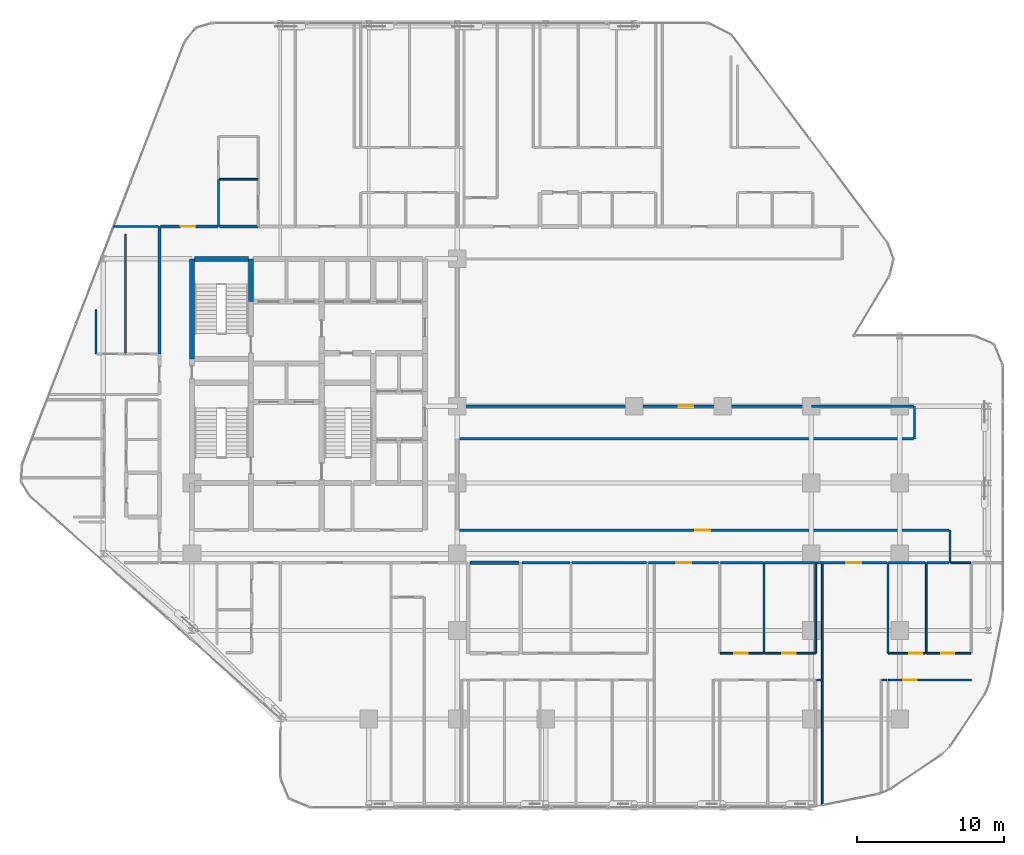
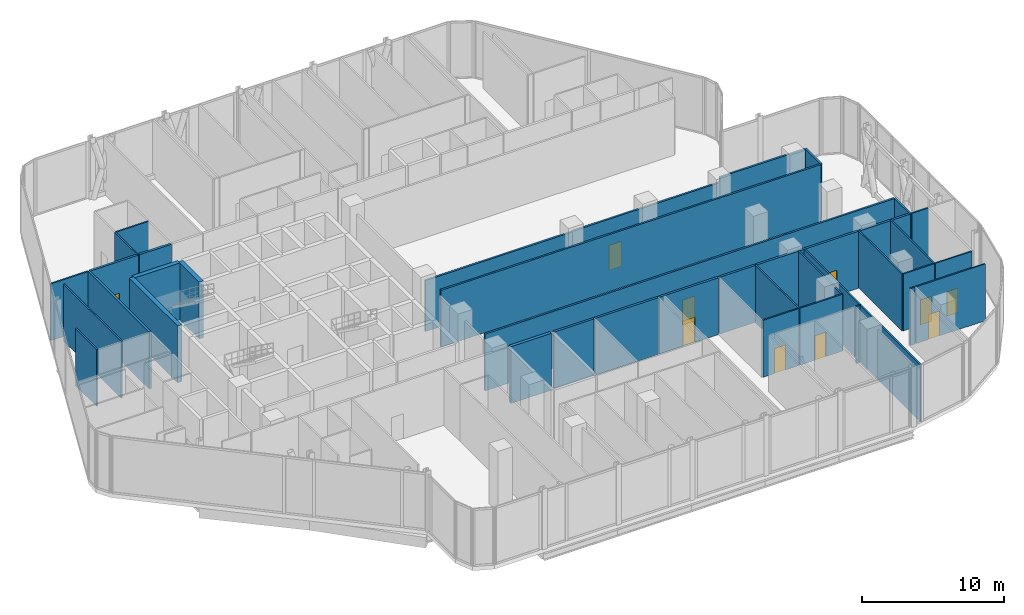
# One storey, part 32 of 36: 40 walls, 10 doors, 10 openings.
"""IFC4 building model written with IfcOpenShell, lengths in metres."""

from ifc_helpers import new_model, si_unit, direction, frame, frame_2d, origin, place, context, subcontext, project, spatial, rectangle, extrude, material, layer, layer_set, type_object, element, fill, save


model = new_model("IFC4")

# Units and contexts
model_context = context("Model", 3, precision=1e-05, world=origin(), true_north=direction((0.0, 1.0)))
body_context = subcontext(model_context, "Body", "Model", "MODEL_VIEW")
ifc_project = project(units=[si_unit("LENGTHUNIT", "METRE"), si_unit("AREAUNIT", "SQUARE_METRE"), si_unit("VOLUMEUNIT", "CUBIC_METRE"), si_unit("PLANEANGLEUNIT", "RADIAN"), si_unit("MASSUNIT", "GRAM", prefix="KILO")], contexts=[model_context])

# Site, building, storey
site_placement = place(None, origin())
site = spatial("IfcSite", under=ifc_project, at=site_placement, CompositionType="ELEMENT")
building_placement = place(site_placement, origin())
building = spatial("IfcBuilding", under=site, at=building_placement, Name="Keshet Zoharim Tower", CompositionType="ELEMENT")
storey_placement = place(building_placement, frame((0.0, 0.0, 81.199951171875)))
storey = spatial("IfcBuildingStorey", under=building, at=storey_placement, Name="L19", CompositionType="ELEMENT", Elevation=81.199951171875)

# Walls
ifc_material_1 = material(Name="Gypsum Plasterboard", Category="gypsum")
ifc_layer_1 = layer(ifc_material_1, 0.14990234375)
ifc_layer_set_1 = layer_set([ifc_layer_1], Name="Gypsum Plasterboard")
wall_type_1 = type_object("IfcWallType", Name="WL-CLIN-150", PredefinedType="STANDARD", material=ifc_layer_set_1)
wall_1_placement = place(storey_placement, frame((64.0, 25.699951171875, 0.0), z_axis=(0.0, 0.0, 1.0), x_axis=(0.0, 1.0, 0.0)))
element("IfcWall", 1, at=wall_1_placement, inside=storey, type_object=wall_type_1, Name="L19 Interior Wall 112", PredefinedType="STANDARD", context=body_context, shape_type="SweptSolid", body=[
    extrude(rectangle(XDim=2.199951171875, YDim=0.14990234375, at=frame_2d((1.10009765625, 0.0))), origin(), (0.0, 0.0, 1.0), 4.885009765625),
])
wall_2_placement = place(storey_placement, frame((66.39990234375, 17.31005859375, 0.0), z_axis=(0.0, 0.0, 1.0), x_axis=(0.0, 1.0, 0.0)))
element("IfcWall", 2, at=wall_2_placement, inside=storey, type_object=wall_type_1, Name="L19 Interior Wall 114", PredefinedType="STANDARD", context=body_context, shape_type="SweptSolid", body=[
    extrude(rectangle(XDim=2.18994140625, YDim=0.14990234375, at=frame_2d((1.094970703125, 0.0))), origin(), (0.0, 0.0, 1.0), 4.885009765625),
])

# Wall, opening, door
wall_3_placement = place(storey_placement, frame((33.070068359375, 19.5, 0.0), z_axis=(0.0, 0.0, 1.0), x_axis=(1.0, 0.0, 0.0)))
wall_3 = element("IfcWall", 3, at=wall_3_placement, inside=storey, type_object=wall_type_1, Name="L19 Interior Wall 155", PredefinedType="STANDARD", context=body_context, shape_type="SweptSolid", body=[
    extrude(rectangle(XDim=33.27001953125, YDim=0.14990234375, at=frame_2d((16.635009765625, 0.0))), origin(), (0.0, 0.0, 1.0), 4.885009765625),
])
opening_1_placement = place(wall_3_placement, frame((16.06494140625, 0.0, 0.0)))
opening_1 = element("IfcOpeningElement", 4, at=opening_1_placement, cuts=wall_3, Name="Opening D-F310", PredefinedType="OPENING", context=body_context, shape_type="SweptSolid", body=[
    extrude(rectangle(XDim=1.0, YDim=2.14990234375, at=frame_2d((0.5, 1.074951171875))), frame((0.0, 0.0849609375, 0.0), z_axis=(0.0, -1.0, 0.0), x_axis=(1.0, 0.0, 0.0)), (0.0, 0.0, 1.0), 0.169921875),
])
ifc_material_2 = material(Name="Hardwood Timber", Category="wood")
door_type_1 = type_object("IfcDoorType", Name="DR-FD30-100", OperationType="NOTDEFINED", PredefinedType="DOOR", material=ifc_material_2)
door_1_placement = place(opening_1_placement, origin())
door_1 = element("IfcDoor", 5, at=door_1_placement, inside=storey, type_object=door_type_1, Name="L19 North East Residents Services Suite Door 1", OperationType="SINGLE_SWING_LEFT", OverallHeight=2.14990234375, OverallWidth=1.0, PredefinedType="DOOR", context=body_context, shape_type="SweptSolid", body=[
    extrude(rectangle(XDim=1.0, YDim=2.14990234375, at=frame_2d((0.5, 1.074951171875))), frame((0.0, 0.02490234375, 0.0), z_axis=(0.0, -1.0, 0.0), x_axis=(1.0, 0.0, 0.0)), (0.0, 0.0, 1.0), 0.050048828125),
])
fill(opening_1, door_1)

# Walls
wall_4_placement = place(storey_placement, frame((33.070068359375, 25.699951171875, 0.0), z_axis=(0.0, 0.0, 1.0), x_axis=(1.0, 0.0, 0.0)))
element("IfcWall", 6, at=wall_4_placement, inside=storey, type_object=wall_type_1, Name="L19 Interior Wall 169", PredefinedType="STANDARD", context=body_context, shape_type="SweptSolid", body=[
    extrude(rectangle(XDim=30.869873046875, YDim=0.14990234375, at=frame_2d((15.43505859375, 0.0))), origin(), (0.0, 0.0, 1.0), 4.885009765625),
])
wall_5_placement = place(storey_placement, frame((33.070068359375, 27.89990234375, 0.0), z_axis=(0.0, 0.0, 1.0), x_axis=(1.0, 0.0, 0.0)))
element("IfcWall", 7, at=wall_5_placement, inside=storey, type_object=wall_type_1, Name="L19 Interior Wall 170", PredefinedType="STANDARD", context=body_context, shape_type="SweptSolid", body=[
    extrude(rectangle(XDim=11.929931640625, YDim=0.14990234375, at=frame_2d((5.96484375, 0.0))), origin(), (0.0, 0.0, 1.0), 4.385009765625),
])

# Wall, opening, door
wall_6_placement = place(storey_placement, frame((45.0, 27.89990234375, 0.0), z_axis=(0.0, 0.0, 1.0), x_axis=(1.0, 0.0, 0.0)))
wall_6 = element("IfcWall", 8, at=wall_6_placement, inside=storey, type_object=wall_type_1, Name="L19 Interior Wall 170 Part 2", PredefinedType="STANDARD", context=body_context, shape_type="SweptSolid", body=[
    extrude(rectangle(XDim=12.0, YDim=0.14990234375, at=frame_2d((6.0, 0.0))), origin(), (0.0, 0.0, 1.0), 4.43505859375),
])
opening_2_placement = place(wall_6_placement, frame((3.0048828125, 0.0, 0.0)))
opening_2 = element("IfcOpeningElement", 9, at=opening_2_placement, cuts=wall_6, Name="Opening D-F310", PredefinedType="OPENING", context=body_context, shape_type="SweptSolid", body=[
    extrude(rectangle(XDim=1.0, YDim=2.14990234375, at=frame_2d((0.5, 1.074951171875))), frame((0.0, 0.0849609375, 0.0), z_axis=(0.0, -1.0, 0.0), x_axis=(1.0, 0.0, 0.0)), (0.0, 0.0, 1.0), 0.169921875),
])
door_2_placement = place(opening_2_placement, origin())
door_2 = element("IfcDoor", 10, at=door_2_placement, inside=storey, type_object=door_type_1, Name="L19 North East Residents Services Suite Door 2", OperationType="SINGLE_SWING_LEFT", OverallHeight=2.14990234375, OverallWidth=1.0, PredefinedType="DOOR", context=body_context, shape_type="SweptSolid", body=[
    extrude(rectangle(XDim=1.0, YDim=2.14990234375, at=frame_2d((0.5, 1.074951171875))), frame((0.0, 0.02490234375, 0.0), z_axis=(0.0, -1.0, 0.0), x_axis=(1.0, 0.0, 0.0)), (0.0, 0.0, 1.0), 0.050048828125),
])
fill(opening_2, door_2)

# Walls
wall_7_placement = place(storey_placement, frame((57.0, 27.89990234375, 0.0), z_axis=(0.0, 0.0, 1.0), x_axis=(1.0, 0.0, 0.0)))
element("IfcWall", 11, at=wall_7_placement, inside=storey, type_object=wall_type_1, Name="L19 Interior Wall 170 Part 3", PredefinedType="STANDARD", context=body_context, shape_type="SweptSolid", body=[
    extrude(rectangle(XDim=6.93994140625, YDim=0.14990234375, at=frame_2d((3.469970703125, 0.0))), origin(), (0.0, 0.0, 1.0), 4.885009765625),
])
ifc_material_3 = material(Name="Concrete C60/75", Category="concrete")
ifc_layer_2 = layer(ifc_material_3, 0.35009765625)
ifc_layer_set_2 = layer_set([ifc_layer_2], Name="Concrete C60/75")
wall_type_2 = type_object("IfcWallType", Name="WL-CORE-350", PredefinedType="SHEAR", material=ifc_layer_set_2)
wall_8_placement = place(storey_placement, frame((15.0, 31.10009765625, 0.0), z_axis=(0.0, 0.0, 1.0), x_axis=(0.0, 1.0, 0.0)))
element("IfcWall", 12, at=wall_8_placement, inside=storey, type_object=wall_type_2, Name="L19 Core Shear Wall 016", PredefinedType="SHEAR", context=body_context, shape_type="SweptSolid", body=[
    extrude(rectangle(XDim=6.7998046875, YDim=0.35009765625, at=frame_2d((3.39990234375, 0.0))), origin(), (0.0, 0.0, 1.0), 4.885009765625),
])
wall_9_placement = place(storey_placement, frame((19.0, 35.0, 0.0), z_axis=(0.0, 0.0, 1.0), x_axis=(0.0, 1.0, 0.0)))
element("IfcWall", 13, at=wall_9_placement, inside=storey, type_object=wall_type_2, Name="L19 Core Shear Wall 025", PredefinedType="SHEAR", context=body_context, shape_type="SweptSolid", body=[
    extrude(rectangle(XDim=2.89990234375, YDim=0.35009765625, at=frame_2d((1.449951171875, 0.0))), origin(), (0.0, 0.0, 1.0), 4.885009765625),
])
wall_10_placement = place(storey_placement, frame((15.159912109375, 37.89990234375, 0.0), z_axis=(0.0, 0.0, 1.0), x_axis=(1.0, 0.0, 0.0)))
element("IfcWall", 14, at=wall_10_placement, inside=storey, type_object=wall_type_2, Name="L19 Core Shear Wall 186", PredefinedType="SHEAR", context=body_context, shape_type="SweptSolid", body=[
    extrude(rectangle(XDim=3.68017578125, YDim=0.35009765625, at=frame_2d((1.840087890625, 0.0))), origin(), (0.0, 0.0, 1.0), 4.885009765625),
])
ifc_layer_3 = layer(ifc_material_1, 0.179931640625)
ifc_layer_set_3 = layer_set([ifc_layer_3], Name="Gypsum Plasterboard")
wall_type_3 = type_object("IfcWallType", Name="WL-CORR-180", PredefinedType="STANDARD", material=ifc_layer_set_3)
wall_11_placement = place(storey_placement, frame((12.800048828125, 31.449951171875, 0.0), z_axis=(0.0, 0.0, 1.0), x_axis=(0.0, 1.0, 0.0)))
element("IfcWall", 15, at=wall_11_placement, inside=storey, type_object=wall_type_3, Name="L19 Interior Wall 012", PredefinedType="STANDARD", context=body_context, shape_type="SweptSolid", body=[
    extrude(rectangle(XDim=8.650146484375, YDim=0.179931640625, at=frame_2d((4.3251953125, 0.0))), origin(), (0.0, 0.0, 1.0), 4.885009765625),
])
wall_12_placement = place(storey_placement, frame((37.385986328125, 17.300048828125, 0.0), z_axis=(0.0, 0.0, 1.0), x_axis=(1.0, 0.0, 0.0)))
element("IfcWall", 16, at=wall_12_placement, inside=storey, type_object=wall_type_3, Name="L19 Interior Wall 141", PredefinedType="STANDARD", context=body_context, shape_type="SweptSolid", body=[
    extrude(rectangle(XDim=3.25, YDim=0.179931640625, at=frame_2d((1.625, 0.0))), origin(), (0.0, 0.0, 1.0), 4.885009765625),
])
wall_13_placement = place(storey_placement, frame((40.72607421875, 17.300048828125, 0.0), z_axis=(0.0, 0.0, 1.0), x_axis=(1.0, 0.0, 0.0)))
element("IfcWall", 17, at=wall_13_placement, inside=storey, type_object=wall_type_3, Name="L19 Interior Wall 142", PredefinedType="STANDARD", context=body_context, shape_type="SweptSolid", body=[
    extrude(rectangle(XDim=5.138916015625, YDim=0.179931640625, at=frame_2d((2.5693359375, 0.0))), origin(), (0.0, 0.0, 1.0), 4.885009765625),
])

# Wall, opening, door
wall_14_placement = place(storey_placement, frame((45.955078125, 17.300048828125, 0.0), z_axis=(0.0, 0.0, 1.0), x_axis=(1.0, 0.0, 0.0)))
wall_14 = element("IfcWall", 18, at=wall_14_placement, inside=storey, type_object=wall_type_3, Name="L19 Interior Wall 143", PredefinedType="STANDARD", context=body_context, shape_type="SweptSolid", body=[
    extrude(rectangle(XDim=4.7998046875, YDim=0.179931640625, at=frame_2d((2.39990234375, 0.0))), origin(), (0.0, 0.0, 1.0), 4.885009765625),
])
opening_3_placement = place(wall_14_placement, frame((1.89990234375, 0.0, 0.0)))
opening_3 = element("IfcOpeningElement", 19, at=opening_3_placement, cuts=wall_14, Name="Opening D-F310", PredefinedType="OPENING", context=body_context, shape_type="SweptSolid", body=[
    extrude(rectangle(XDim=1.0, YDim=2.14990234375, at=frame_2d((0.5, 1.074951171875))), frame((0.0, 0.10009765625, 0.0), z_axis=(0.0, -1.0, 0.0), x_axis=(1.0, 0.0, 0.0)), (0.0, 0.0, 1.0), 0.199951171875),
])
door_3_placement = place(opening_3_placement, origin())
door_3 = element("IfcDoor", 20, at=door_3_placement, inside=storey, type_object=door_type_1, Name="Apartment 1903 Entrance Door", OperationType="SINGLE_SWING_LEFT", OverallHeight=2.14990234375, OverallWidth=1.0, PredefinedType="DOOR", context=body_context, shape_type="SweptSolid", body=[
    extrude(rectangle(XDim=1.0, YDim=2.14990234375, at=frame_2d((0.5, 1.074951171875))), frame((0.0, 0.02490234375, 0.0), z_axis=(0.0, -1.0, 0.0), x_axis=(1.0, 0.0, 0.0)), (0.0, 0.0, 1.0), 0.050048828125),
])
fill(opening_3, door_3)

# Walls
wall_15_placement = place(storey_placement, frame((50.844970703125, 17.300048828125, 0.0), z_axis=(0.0, 0.0, 1.0), x_axis=(1.0, 0.0, 0.0)))
element("IfcWall", 21, at=wall_15_placement, inside=storey, type_object=wall_type_3, Name="L19 Interior Wall 144", PredefinedType="STANDARD", context=body_context, shape_type="SweptSolid", body=[
    extrude(rectangle(XDim=2.908935546875, YDim=0.179931640625, at=frame_2d((1.45458984375, 0.0))), origin(), (0.0, 0.0, 1.0), 4.885009765625),
])
wall_16_placement = place(storey_placement, frame((53.843994140625, 17.300048828125, 0.0), z_axis=(0.0, 0.0, 1.0), x_axis=(1.0, 0.0, 0.0)))
element("IfcWall", 22, at=wall_16_placement, inside=storey, type_object=wall_type_3, Name="L19 Interior Wall 145", PredefinedType="STANDARD", context=body_context, shape_type="SweptSolid", body=[
    extrude(rectangle(XDim=3.430908203125, YDim=0.179931640625, at=frame_2d((1.71533203125, 0.0))), origin(), (0.0, 0.0, 1.0), 4.885009765625),
])

# Wall, opening, door
wall_17_placement = place(storey_placement, frame((57.364990234375, 17.300048828125, 0.0), z_axis=(0.0, 0.0, 1.0), x_axis=(1.0, 0.0, 0.0)))
wall_17 = element("IfcWall", 23, at=wall_17_placement, inside=storey, type_object=wall_type_3, Name="L19 Interior Wall 146", PredefinedType="STANDARD", context=body_context, shape_type="SweptSolid", body=[
    extrude(rectangle(XDim=4.77001953125, YDim=0.179931640625, at=frame_2d((2.385009765625, 0.0))), origin(), (0.0, 0.0, 1.0), 4.885009765625),
])
opening_4_placement = place(wall_17_placement, frame((2.014892578125, 0.0, 0.0)))
opening_4 = element("IfcOpeningElement", 24, at=opening_4_placement, cuts=wall_17, Name="Opening D-F310", PredefinedType="OPENING", context=body_context, shape_type="SweptSolid", body=[
    extrude(rectangle(XDim=1.0, YDim=2.14990234375, at=frame_2d((0.5, 1.074951171875))), frame((0.0, 0.10009765625, 0.0), z_axis=(0.0, -1.0, 0.0), x_axis=(1.0, 0.0, 0.0)), (0.0, 0.0, 1.0), 0.199951171875),
])
door_4_placement = place(opening_4_placement, origin())
door_4 = element("IfcDoor", 25, at=door_4_placement, inside=storey, type_object=door_type_1, Name="Apartment 1904 Entrance Door", OperationType="SINGLE_SWING_RIGHT", OverallHeight=2.14990234375, OverallWidth=1.0, PredefinedType="DOOR", context=body_context, shape_type="SweptSolid", body=[
    extrude(rectangle(XDim=1.0, YDim=2.14990234375, at=frame_2d((0.5, 1.074951171875))), frame((0.0, 0.02490234375, 0.0), z_axis=(0.0, -1.0, 0.0), x_axis=(1.0, 0.0, 0.0)), (0.0, 0.0, 1.0), 0.050048828125),
])
fill(opening_4, door_4)

# Walls
wall_18_placement = place(storey_placement, frame((62.22509765625, 17.300048828125, 0.0), z_axis=(0.0, 0.0, 1.0), x_axis=(1.0, 0.0, 0.0)))
element("IfcWall", 26, at=wall_18_placement, inside=storey, type_object=wall_type_3, Name="L19 Interior Wall 147", PredefinedType="STANDARD", context=body_context, shape_type="SweptSolid", body=[
    extrude(rectangle(XDim=2.52099609375, YDim=0.179931640625, at=frame_2d((1.260498046875, 0.0))), origin(), (0.0, 0.0, 1.0), 4.885009765625),
])
wall_19_placement = place(storey_placement, frame((64.8359375, 17.300048828125, 0.0), z_axis=(0.0, 0.0, 1.0), x_axis=(1.0, 0.0, 0.0)))
element("IfcWall", 27, at=wall_19_placement, inside=storey, type_object=wall_type_3, Name="L19 Interior Wall 148", PredefinedType="STANDARD", context=body_context, shape_type="SweptSolid", body=[
    extrude(rectangle(XDim=1.504150390625, YDim=0.179931640625, at=frame_2d((0.751953125, 0.0))), origin(), (0.0, 0.0, 1.0), 4.885009765625),
])

# Wall, opening, door
wall_20_placement = place(storey_placement, frame((12.875, 40.10009765625, 0.0), z_axis=(0.0, 0.0, 1.0), x_axis=(1.0, 0.0, 0.0)))
wall_20 = element("IfcWall", 28, at=wall_20_placement, inside=storey, type_object=wall_type_3, Name="L19 Interior Wall 190", PredefinedType="STANDARD", context=body_context, shape_type="SweptSolid", body=[
    extrude(rectangle(XDim=3.89990234375, YDim=0.179931640625, at=frame_2d((1.949951171875, 0.0))), origin(), (0.0, 0.0, 1.0), 4.885009765625),
])
opening_5_placement = place(wall_20_placement, frame((1.361083984375, 0.0, 0.0)))
opening_5 = element("IfcOpeningElement", 29, at=opening_5_placement, cuts=wall_20, Name="Opening D-F310", PredefinedType="OPENING", context=body_context, shape_type="SweptSolid", body=[
    extrude(rectangle(XDim=1.0, YDim=2.14990234375, at=frame_2d((0.5, 1.074951171875))), frame((0.0, 0.10009765625, 0.0), z_axis=(0.0, -1.0, 0.0), x_axis=(1.0, 0.0, 0.0)), (0.0, 0.0, 1.0), 0.199951171875),
])
door_5_placement = place(opening_5_placement, origin())
door_5 = element("IfcDoor", 30, at=door_5_placement, inside=storey, type_object=door_type_1, Name="Apartment 1905 Entrance Door", OperationType="SINGLE_SWING_LEFT", OverallHeight=2.14990234375, OverallWidth=1.0, PredefinedType="DOOR", context=body_context, shape_type="SweptSolid", body=[
    extrude(rectangle(XDim=1.0, YDim=2.14990234375, at=frame_2d((0.5, 1.074951171875))), frame((0.0, 0.02490234375, 0.0), z_axis=(0.0, -1.0, 0.0), x_axis=(1.0, 0.0, 0.0)), (0.0, 0.0, 1.0), 0.050048828125),
])
fill(opening_5, door_5)

# Walls
wall_21_placement = place(storey_placement, frame((16.864990234375, 40.10009765625, 0.0), z_axis=(0.0, 0.0, 1.0), x_axis=(1.0, 0.0, 0.0)))
element("IfcWall", 31, at=wall_21_placement, inside=storey, type_object=wall_type_3, Name="L19 Interior Wall 191", PredefinedType="STANDARD", context=body_context, shape_type="SweptSolid", body=[
    extrude(rectangle(XDim=2.610107421875, YDim=0.179931640625, at=frame_2d((1.30517578125, 0.0))), origin(), (0.0, 0.0, 1.0), 4.885009765625),
])
ifc_material_4 = material(Name="Concrete C50/60", Category="concrete")
ifc_layer_4 = layer(ifc_material_4, 0.25)
ifc_layer_set_4 = layer_set([ifc_layer_4], Name="Concrete C50/60")
wall_type_4 = type_object("IfcWallType", Name="WL-MAMAD-250", PredefinedType="STANDARD", material=ifc_layer_set_4)
wall_22_placement = place(storey_placement, frame((33.860107421875, 17.300048828125, 0.0), z_axis=(0.0, 0.0, 1.0), x_axis=(1.0, 0.0, 0.0)))
element("IfcWall", 32, at=wall_22_placement, inside=storey, type_object=wall_type_4, Name="L19 Interior Wall 140", PredefinedType="STANDARD", context=body_context, shape_type="SweptSolid", body=[
    extrude(rectangle(XDim=3.305908203125, YDim=0.25, at=frame_2d((1.65283203125, 0.0))), origin(), (0.0, 0.0, 1.0), 4.885009765625),
])
ifc_layer_5 = layer(ifc_material_1, 0.1201171875)
ifc_layer_set_5 = layer_set([ifc_layer_5], Name="Gypsum Plasterboard")
wall_type_5 = type_object("IfcWallType", Name="WL-PART-120", PredefinedType="PARTITIONING", material=ifc_layer_set_5)
wall_23_placement = place(storey_placement, frame((8.5, 31.449951171875, 0.0), z_axis=(0.0, 0.0, 1.0), x_axis=(0.0, 1.0, 0.0)))
element("IfcWall", 33, at=wall_23_placement, inside=storey, type_object=wall_type_5, Name="L19 Interior Wall 001", PredefinedType="PARTITIONING", context=body_context, shape_type="SweptSolid", body=[
    extrude(rectangle(XDim=2.988037109375, YDim=0.1201171875, at=frame_2d((1.494140625, 0.0))), origin(), (0.0, 0.0, 1.0), 4.885009765625),
])
wall_24_placement = place(storey_placement, frame((16.800048828125, 40.10009765625, 0.0), z_axis=(0.0, 0.0, 1.0), x_axis=(0.0, 1.0, 0.0)))
element("IfcWall", 34, at=wall_24_placement, inside=storey, type_object=wall_type_5, Name="L19 Interior Wall 019", PredefinedType="PARTITIONING", context=body_context, shape_type="SweptSolid", body=[
    extrude(rectangle(XDim=3.199951171875, YDim=0.1201171875, at=frame_2d((1.60009765625, 0.0))), origin(), (0.0, 0.0, 1.0), 4.885009765625),
])
wall_25_placement = place(storey_placement, frame((57.75, 0.85888671875, 0.0), z_axis=(0.0, 0.0, 1.0), x_axis=(0.0, 1.0, 0.0)))
element("IfcWall", 35, at=wall_25_placement, inside=storey, type_object=wall_type_5, Name="L19 Interior Wall 107", PredefinedType="PARTITIONING", context=body_context, shape_type="SweptSolid", body=[
    extrude(rectangle(XDim=16.441162109375, YDim=0.1201171875, at=frame_2d((8.220703125, 0.0))), origin(), (0.0, 0.0, 1.0), 4.885009765625),
])
wall_26_placement = place(storey_placement, frame((62.199951171875, 11.14990234375, 0.0), z_axis=(0.0, 0.0, 1.0), x_axis=(0.0, 1.0, 0.0)))
element("IfcWall", 36, at=wall_26_placement, inside=storey, type_object=wall_type_5, Name="L19 Interior Wall 111", PredefinedType="PARTITIONING", context=body_context, shape_type="SweptSolid", body=[
    extrude(rectangle(XDim=6.150146484375, YDim=0.1201171875, at=frame_2d((3.0751953125, 0.0))), origin(), (0.0, 0.0, 1.0), 4.885009765625),
])
for number, where, z_axis, x_axis, name in (
    (37, (57.364990234375, 9.35009765625, 0.0), (0.0, 0.0, 1.0), (1.0, 0.0, 0.0), "L19 Interior Wall 121"),
    (38, (61.77490234375, 9.35009765625, 0.0), (0.0, 0.0, 1.0), (1.0, 0.0, 0.0), "L19 Interior Wall 122"),
):
    element("IfcWall", number, at=place(storey_placement, frame(where, z_axis=z_axis, x_axis=x_axis)), inside=storey, type_object=wall_type_5, Name=name, PredefinedType="PARTITIONING", context=body_context, shape_type="SweptSolid", body=[
        extrude(rectangle(XDim=0.360107421875, YDim=0.1201171875, at=frame_2d((0.18017578125, 0.0))), origin(), (0.0, 0.0, 1.0), 4.885009765625),
    ])

# Wall, opening, door
wall_27_placement = place(storey_placement, frame((62.22509765625, 9.35009765625, 0.0), z_axis=(0.0, 0.0, 1.0), x_axis=(1.0, 0.0, 0.0)))
wall_27 = element("IfcWall", 39, at=wall_27_placement, inside=storey, type_object=wall_type_5, Name="L19 Interior Wall 123", PredefinedType="PARTITIONING", context=body_context, shape_type="SweptSolid", body=[
    extrude(rectangle(XDim=5.630859375, YDim=0.1201171875, at=frame_2d((2.8154296875, 0.0))), origin(), (0.0, 0.0, 1.0), 4.885009765625),
])
opening_6_placement = place(wall_27_placement, frame((1.02294921875, 0.0, 0.0)))
opening_6 = element("IfcOpeningElement", 40, at=opening_6_placement, cuts=wall_27, Name="Opening D-IN90", PredefinedType="OPENING", context=body_context, shape_type="SweptSolid", body=[
    extrude(rectangle(XDim=0.89990234375, YDim=2.14990234375, at=frame_2d((0.449951171875, 1.074951171875))), frame((0.0, 0.070068359375, 0.0), z_axis=(0.0, -1.0, 0.0), x_axis=(1.0, 0.0, 0.0)), (0.0, 0.0, 1.0), 0.14013671875),
])
door_type_2 = type_object("IfcDoorType", Name="DR-INT-090", OperationType="NOTDEFINED", PredefinedType="DOOR", material=ifc_material_2)
door_6_placement = place(opening_6_placement, origin())
door_6 = element("IfcDoor", 41, at=door_6_placement, inside=storey, type_object=door_type_2, Name="Apartment 1904 Bedroom 1 Door", OperationType="SINGLE_SWING_RIGHT", OverallHeight=2.14990234375, OverallWidth=0.89990234375, PredefinedType="DOOR", context=body_context, shape_type="SweptSolid", body=[
    extrude(rectangle(XDim=0.89990234375, YDim=2.14990234375, at=frame_2d((0.449951171875, 1.074951171875))), frame((0.0, 0.02490234375, 0.0), z_axis=(0.0, -1.0, 0.0), x_axis=(1.0, 0.0, 0.0)), (0.0, 0.0, 1.0), 0.050048828125),
])
fill(opening_6, door_6)

wall_28_placement = place(storey_placement, frame((50.844970703125, 11.14990234375, 0.0), z_axis=(0.0, 0.0, 1.0), x_axis=(1.0, 0.0, 0.0)))
wall_28 = element("IfcWall", 42, at=wall_28_placement, inside=storey, type_object=wall_type_5, Name="L19 Interior Wall 127", PredefinedType="PARTITIONING", context=body_context, shape_type="SweptSolid", body=[
    extrude(rectangle(XDim=2.908935546875, YDim=0.1201171875, at=frame_2d((1.45458984375, 0.0))), origin(), (0.0, 0.0, 1.0), 4.885009765625),
])
opening_7_placement = place(wall_28_placement, frame((0.931884765625, 0.0, 0.0)))
opening_7 = element("IfcOpeningElement", 43, at=opening_7_placement, cuts=wall_28, Name="Opening D-IN90", PredefinedType="OPENING", context=body_context, shape_type="SweptSolid", body=[
    extrude(rectangle(XDim=0.89990234375, YDim=2.14990234375, at=frame_2d((0.449951171875, 1.074951171875))), frame((0.0, 0.070068359375, 0.0), z_axis=(0.0, -1.0, 0.0), x_axis=(1.0, 0.0, 0.0)), (0.0, 0.0, 1.0), 0.14013671875),
])
door_7_placement = place(opening_7_placement, origin())
door_7 = element("IfcDoor", 44, at=door_7_placement, inside=storey, type_object=door_type_2, Name="Apartment 1903 Kitchen Door", OperationType="SINGLE_SWING_RIGHT", OverallHeight=2.14990234375, OverallWidth=0.89990234375, PredefinedType="DOOR", context=body_context, shape_type="SweptSolid", body=[
    extrude(rectangle(XDim=0.89990234375, YDim=2.14990234375, at=frame_2d((0.449951171875, 1.074951171875))), frame((0.0, 0.02490234375, 0.0), z_axis=(0.0, -1.0, 0.0), x_axis=(1.0, 0.0, 0.0)), (0.0, 0.0, 1.0), 0.050048828125),
])
fill(opening_7, door_7)

wall_29_placement = place(storey_placement, frame((62.22509765625, 11.14990234375, 0.0), z_axis=(0.0, 0.0, 1.0), x_axis=(1.0, 0.0, 0.0)))
wall_29 = element("IfcWall", 45, at=wall_29_placement, inside=storey, type_object=wall_type_5, Name="L19 Interior Wall 129", PredefinedType="PARTITIONING", context=body_context, shape_type="SweptSolid", body=[
    extrude(rectangle(XDim=2.52099609375, YDim=0.1201171875, at=frame_2d((1.260498046875, 0.0))), origin(), (0.0, 0.0, 1.0), 4.885009765625),
])
opening_8_placement = place(wall_29_placement, frame((1.406982421875, 0.0, 0.0)))
opening_8 = element("IfcOpeningElement", 46, at=opening_8_placement, cuts=wall_29, Name="Opening D-IN90", PredefinedType="OPENING", context=body_context, shape_type="SweptSolid", body=[
    extrude(rectangle(XDim=0.89990234375, YDim=2.14990234375, at=frame_2d((0.449951171875, 1.074951171875))), frame((0.0, 0.070068359375, 0.0), z_axis=(0.0, -1.0, 0.0), x_axis=(1.0, 0.0, 0.0)), (0.0, 0.0, 1.0), 0.14013671875),
])
door_8_placement = place(opening_8_placement, origin())
door_8 = element("IfcDoor", 47, at=door_8_placement, inside=storey, type_object=door_type_2, Name="Apartment 1904 Kitchen Door", OperationType="SINGLE_SWING_RIGHT", OverallHeight=2.14990234375, OverallWidth=0.89990234375, PredefinedType="DOOR", context=body_context, shape_type="SweptSolid", body=[
    extrude(rectangle(XDim=0.89990234375, YDim=2.14990234375, at=frame_2d((0.449951171875, 1.074951171875))), frame((0.0, 0.02490234375, 0.0), z_axis=(0.0, -1.0, 0.0), x_axis=(1.0, 0.0, 0.0)), (0.0, 0.0, 1.0), 0.050048828125),
])
fill(opening_8, door_8)

# Walls
ifc_layer_6 = layer(ifc_material_1, 0.1201171875)
ifc_layer_set_6 = layer_set([ifc_layer_6], Name="Gypsum Plasterboard")
wall_type_6 = type_object("IfcWallType", Name="WL-WET-120", PredefinedType="PARTITIONING", material=ifc_layer_set_6)
wall_30_placement = place(storey_placement, frame((10.5, 31.449951171875, 0.0), z_axis=(0.0, 0.0, 1.0), x_axis=(0.0, 1.0, 0.0)))
element("IfcWall", 48, at=wall_30_placement, inside=storey, type_object=wall_type_6, Name="L19 Interior Wall 003", PredefinedType="PARTITIONING", context=body_context, shape_type="SweptSolid", body=[
    extrude(rectangle(XDim=8.130126953125, YDim=0.1201171875, at=frame_2d((4.06494140625, 0.0))), origin(), (0.0, 0.0, 1.0), 4.885009765625),
])
for number, where, z_axis, x_axis, name in (
    (49, (53.800048828125, 11.14990234375, 0.0), (0.0, 0.0, 1.0), (0.0, 1.0, 0.0), "L19 Interior Wall 101"),
    (50, (57.300048828125, 11.14990234375, 0.0), (0.0, 0.0, 1.0), (0.0, 1.0, 0.0), "L19 Interior Wall 106"),
    (51, (64.800048828125, 11.14990234375, 0.0), (0.0, 0.0, 1.0), (0.0, 1.0, 0.0), "L19 Interior Wall 113"),
):
    element("IfcWall", number, at=place(storey_placement, frame(where, z_axis=z_axis, x_axis=x_axis)), inside=storey, type_object=wall_type_6, Name=name, PredefinedType="PARTITIONING", context=body_context, shape_type="SweptSolid", body=[
        extrude(rectangle(XDim=6.150146484375, YDim=0.1201171875, at=frame_2d((3.0751953125, 0.0))), origin(), (0.0, 0.0, 1.0), 4.885009765625),
    ])

# Wall, opening, door
wall_31_placement = place(storey_placement, frame((53.843994140625, 11.14990234375, 0.0), z_axis=(0.0, 0.0, 1.0), x_axis=(1.0, 0.0, 0.0)))
wall_31 = element("IfcWall", 52, at=wall_31_placement, inside=storey, type_object=wall_type_6, Name="L19 Interior Wall 128", PredefinedType="PARTITIONING", context=body_context, shape_type="SweptSolid", body=[
    extrude(rectangle(XDim=3.430908203125, YDim=0.1201171875, at=frame_2d((1.71533203125, 0.0))), origin(), (0.0, 0.0, 1.0), 4.885009765625),
])
opening_9_placement = place(wall_31_placement, frame((1.195068359375, 0.0, 0.0)))
opening_9 = element("IfcOpeningElement", 53, at=opening_9_placement, cuts=wall_31, Name="Opening D-WT90", PredefinedType="OPENING", context=body_context, shape_type="SweptSolid", body=[
    extrude(rectangle(XDim=0.89990234375, YDim=2.10009765625, at=frame_2d((0.449951171875, 1.050048828125))), frame((0.0, 0.070068359375, 0.0), z_axis=(0.0, -1.0, 0.0), x_axis=(1.0, 0.0, 0.0)), (0.0, 0.0, 1.0), 0.14013671875),
])
door_type_3 = type_object("IfcDoorType", Name="DR-WET-090", OperationType="NOTDEFINED", PredefinedType="DOOR", material=ifc_material_2)
door_9_placement = place(opening_9_placement, origin())
door_9 = element("IfcDoor", 54, at=door_9_placement, inside=storey, type_object=door_type_3, Name="Apartment 1903 Bathroom Door", OperationType="SINGLE_SWING_LEFT", OverallHeight=2.10009765625, OverallWidth=0.89990234375, PredefinedType="DOOR", context=body_context, shape_type="SweptSolid", body=[
    extrude(rectangle(XDim=0.89990234375, YDim=2.10009765625, at=frame_2d((0.449951171875, 1.050048828125))), frame((0.0, 0.02490234375, 0.0), z_axis=(0.0, -1.0, 0.0), x_axis=(1.0, 0.0, 0.0)), (0.0, 0.0, 1.0), 0.050048828125),
])
fill(opening_9, door_9)

wall_32_placement = place(storey_placement, frame((64.8359375, 11.14990234375, 0.0), z_axis=(0.0, 0.0, 1.0), x_axis=(1.0, 0.0, 0.0)))
wall_32 = element("IfcWall", 55, at=wall_32_placement, inside=storey, type_object=wall_type_6, Name="L19 Interior Wall 130", PredefinedType="PARTITIONING", context=body_context, shape_type="SweptSolid", body=[
    extrude(rectangle(XDim=2.97509765625, YDim=0.1201171875, at=frame_2d((1.487548828125, 0.0))), origin(), (0.0, 0.0, 1.0), 4.885009765625),
])
opening_10_placement = place(wall_32_placement, frame((0.962890625, 0.0, 0.0)))
opening_10 = element("IfcOpeningElement", 56, at=opening_10_placement, cuts=wall_32, Name="Opening D-WT90", PredefinedType="OPENING", context=body_context, shape_type="SweptSolid", body=[
    extrude(rectangle(XDim=0.89990234375, YDim=2.10009765625, at=frame_2d((0.449951171875, 1.050048828125))), frame((0.0, 0.070068359375, 0.0), z_axis=(0.0, -1.0, 0.0), x_axis=(1.0, 0.0, 0.0)), (0.0, 0.0, 1.0), 0.14013671875),
])
door_10_placement = place(opening_10_placement, origin())
door_10 = element("IfcDoor", 57, at=door_10_placement, inside=storey, type_object=door_type_3, Name="Apartment 1904 Bathroom Door", OperationType="SINGLE_SWING_LEFT", OverallHeight=2.10009765625, OverallWidth=0.89990234375, PredefinedType="DOOR", context=body_context, shape_type="SweptSolid", body=[
    extrude(rectangle(XDim=0.89990234375, YDim=2.10009765625, at=frame_2d((0.449951171875, 1.050048828125))), frame((0.0, 0.02490234375, 0.0), z_axis=(0.0, -1.0, 0.0), x_axis=(1.0, 0.0, 0.0)), (0.0, 0.0, 1.0), 0.050048828125),
])
fill(opening_10, door_10)

# Walls
wall_33_placement = place(storey_placement, frame((66.469970703125, 17.300048828125, 0.0), z_axis=(0.0, 0.0, 1.0), x_axis=(1.0, 0.0, 0.0)))
element("IfcWall", 58, at=wall_33_placement, inside=storey, type_object=wall_type_6, Name="L19 Interior Wall 149", PredefinedType="PARTITIONING", context=body_context, shape_type="SweptSolid", body=[
    extrude(rectangle(XDim=1.341064453125, YDim=0.1201171875, at=frame_2d((0.67041015625, 0.0))), origin(), (0.0, 0.0, 1.0), 4.885009765625),
])
wall_34_placement = place(storey_placement, frame((9.701904296875, 40.10009765625, 0.0), z_axis=(0.0, 0.0, 1.0), x_axis=(1.0, 0.0, 0.0)))
element("IfcWall", 59, at=wall_34_placement, inside=storey, type_object=wall_type_6, Name="L19 Interior Wall 189", PredefinedType="PARTITIONING", context=body_context, shape_type="SweptSolid", body=[
    extrude(rectangle(XDim=3.023193359375, YDim=0.1201171875, at=frame_2d((1.51171875, 0.0))), origin(), (0.0, 0.0, 1.0), 4.885009765625),
])
wall_35_placement = place(storey_placement, frame((16.864990234375, 43.300048828125, 0.0), z_axis=(0.0, 0.0, 1.0), x_axis=(1.0, 0.0, 0.0)))
element("IfcWall", 60, at=wall_35_placement, inside=storey, type_object=wall_type_6, Name="L19 Interior Wall 214", PredefinedType="PARTITIONING", context=body_context, shape_type="SweptSolid", body=[
    extrude(rectangle(XDim=2.610107421875, YDim=0.1201171875, at=frame_2d((1.30517578125, 0.0))), origin(), (0.0, 0.0, 1.0), 4.885009765625),
])

save(model, "model.ifc")
